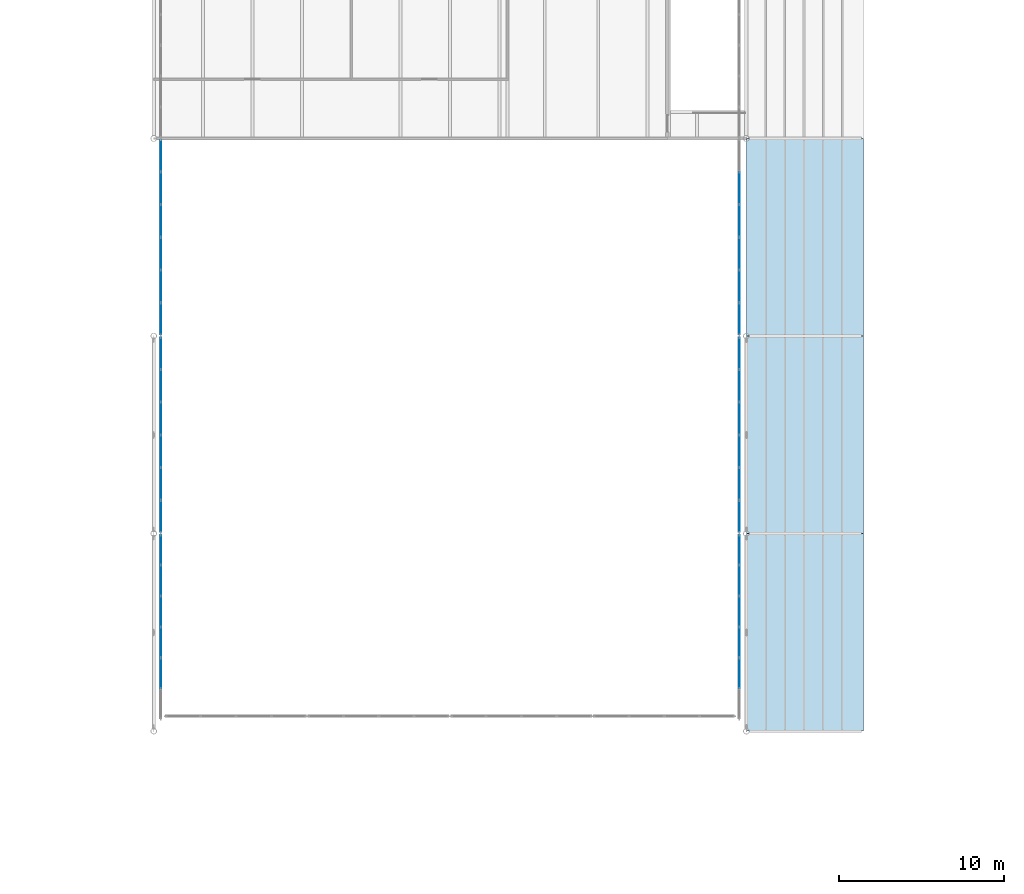
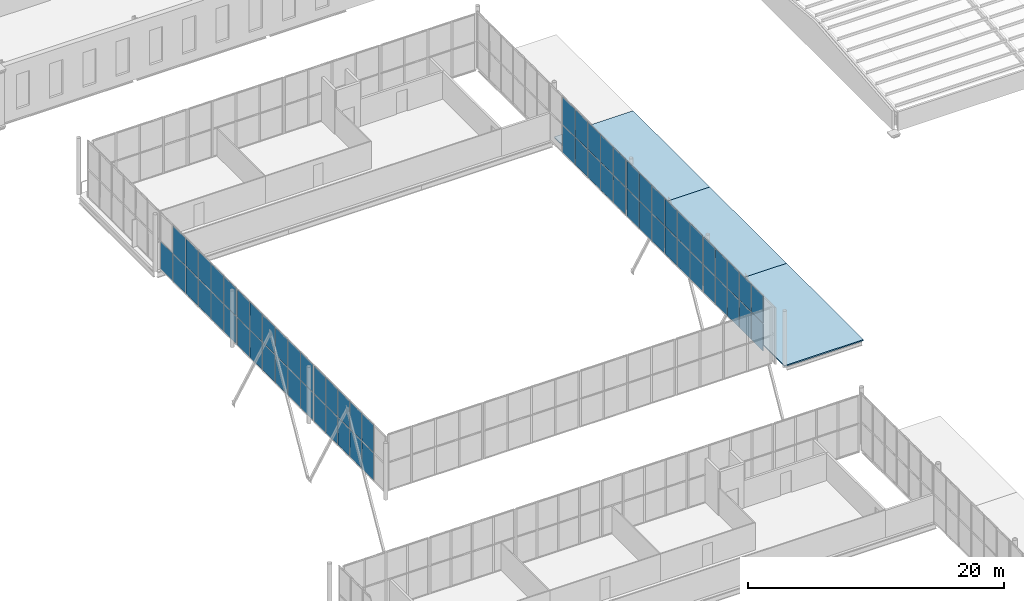
# One storey, part 99 of 170: 65 plates, 3 slabs, 6 elements without a shape of their own.
"""IFC4 building model written with IfcOpenShell, lengths in metres."""

import ifcopenshell
import ifcopenshell.guid

model = None  # the IFC model being written
_history = None  # IfcOwnerHistory: only IFC2X3 demands one
_inside = {}  # id of a spatial element -> (the spatial element, [elements in it])
_under = {}  # id of a project, library or spatial element -> (it, [spatial elements below it])
_declared = {}  # id of a project -> (the project, [libraries it declares])
_typed = {}  # id of a type object -> (the type object, [elements of that type])
_made_of = {}  # id of a material, layer set ... -> (it, [elements and type objects made of it])


def new_model(schema):
    """Start an empty IFC model of exactly this schema.

    Asked for "IFC4X3", IfcOpenShell would pick the latest addendum, in which some entities
    have other attributes; the version numbers below select the first issue.
    IFC2X3 requires an IfcOwnerHistory on every rooted entity: one is made here for all.
    """
    global model, _history
    if schema == "IFC4X3":
        model = ifcopenshell.file(schema_version=(4, 3, 0, 0))
    else:
        model = ifcopenshell.file(schema=schema)
    _inside.clear()
    _under.clear()
    _declared.clear()
    _typed.clear()
    _made_of.clear()
    _history = None
    if model.schema == "IFC2X3":
        org = make("IfcOrganization", Name="unknown")
        user = make(
            "IfcPersonAndOrganization",
            ThePerson=make("IfcPerson", FamilyName="unknown"),
            TheOrganization=org,
        )
        app = make(
            "IfcApplication",
            ApplicationDeveloper=org,
            Version="unknown",
            ApplicationFullName="unknown",
            ApplicationIdentifier="unknown",
        )
        _history = make(
            "IfcOwnerHistory",
            OwningUser=user,
            OwningApplication=app,
            ChangeAction="ADDED",
            CreationDate=0,
        )
    return model


def make(cls, **values):
    """One entity of the class cls with the attributes given. An attribute that is None is left unset."""
    return model.create_entity(
        cls, **{name: value for name, value in values.items() if value is not None}
    )


def rooted(cls, **values):
    """An entity with a GlobalId (a new one), such as an element, a storey or a relation."""
    return make(cls, GlobalId=ifcopenshell.guid.new(), OwnerHistory=_history, **values)


def si_unit(unit_type, name, prefix=None):
    """IfcSIUnit, for example si_unit("LENGTHUNIT", "METRE", prefix="MILLI")."""
    return make("IfcSIUnit", UnitType=unit_type, Prefix=prefix, Name=name)


def assignment(units):
    """IfcUnitAssignment: the units of a project."""
    return None if units is None else make("IfcUnitAssignment", Units=units)


def point(xyz):
    """IfcCartesianPoint."""
    return None if xyz is None else make("IfcCartesianPoint", Coordinates=xyz)


def direction(xyz):
    """IfcDirection."""
    return None if xyz is None else make("IfcDirection", DirectionRatios=xyz)


def frame(location, z_axis=None, x_axis=None):
    """IfcAxis2Placement3D, a coordinate frame: its origin and axes. An axis left out is left unset."""
    return make(
        "IfcAxis2Placement3D",
        Location=point(location),
        Axis=direction(z_axis),
        RefDirection=direction(x_axis),
    )


def frame_2d(location, x_axis=None):
    """IfcAxis2Placement2D, a coordinate frame in the plane: its origin and x axis."""
    return make(
        "IfcAxis2Placement2D", Location=point(location), RefDirection=direction(x_axis)
    )


def origin():
    """The frame at (0, 0, 0) with its axes left unset."""
    return frame((0.0, 0.0, 0.0))


def origin_2d():
    """The frame at (0, 0) in the plane with its x axis left unset."""
    return frame_2d((0.0, 0.0))


def place(relative_to, where):
    """IfcLocalPlacement: puts the frame where relative to a parent placement (None: the world)."""
    return make(
        "IfcLocalPlacement", PlacementRelTo=relative_to, RelativePlacement=where
    )


def context(
    kind, dimensions, precision=None, world=None, true_north=None, identifier=None
):
    """IfcGeometricRepresentationContext, for example the 3D "Model" context."""
    return make(
        "IfcGeometricRepresentationContext",
        ContextIdentifier=identifier,
        ContextType=kind,
        CoordinateSpaceDimension=dimensions,
        Precision=precision,
        WorldCoordinateSystem=world,
        TrueNorth=true_north,
    )


def subcontext(parent, identifier, kind, view, scale=None):
    """IfcGeometricRepresentationSubContext, for example "Body" below "Model"."""
    return make(
        "IfcGeometricRepresentationSubContext",
        ContextIdentifier=identifier,
        ContextType=kind,
        ParentContext=parent,
        TargetScale=scale,
        TargetView=view,
    )


def project(units=None, contexts=None):
    """IfcProject with its units and contexts."""
    return rooted(
        "IfcProject",
        Name="project",
        RepresentationContexts=contexts,
        UnitsInContext=assignment(units),
    )


def spatial(cls, under=None, at=None, **own):
    """A site, building, storey or space (cls), placed at a placement, below another one or the project."""
    s = rooted(cls, ObjectPlacement=at, **own)
    if under is not None:
        _under.setdefault(under.id(), (under, []))[1].append(s)
    return s


def polyline(points):
    """IfcPolyline through the points."""
    return make("IfcPolyline", Points=[point(p) for p in points])


def profile(cls, at=None, kind="AREA", **sizes):
    """A parametric profile (cls). Its sizes go by their IFC names, for example OverallWidth=200.0."""
    return make(cls, ProfileType=kind, Position=at, **sizes)


def rectangle(**sizes):
    """IfcRectangleProfileDef."""
    return profile("IfcRectangleProfileDef", **sizes)


def outline(outer, holes=None, kind="AREA"):
    """IfcArbitraryClosedProfileDef: a profile drawn as a closed curve; with holes, ...WithVoids."""
    if holes is None:
        return make("IfcArbitraryClosedProfileDef", ProfileType=kind, OuterCurve=outer)
    return make(
        "IfcArbitraryProfileDefWithVoids",
        ProfileType=kind,
        OuterCurve=outer,
        InnerCurves=holes,
    )


def extrude(swept, where, along, depth):
    """IfcExtrudedAreaSolid: the profile swept, set in the frame where, extruded along a direction by depth."""
    return make(
        "IfcExtrudedAreaSolid",
        SweptArea=swept,
        Position=where,
        ExtrudedDirection=direction(along),
        Depth=depth,
    )


def shape(context_of_items, identifier, shape_type, items):
    """IfcShapeRepresentation: the items that make up one representation, for example the "Body"."""
    return make(
        "IfcShapeRepresentation",
        ContextOfItems=context_of_items,
        RepresentationIdentifier=identifier,
        RepresentationType=shape_type,
        Items=items,
    )


def material(Name=None, Category=None):
    """IfcMaterial."""
    return make("IfcMaterial", Name=Name, Category=Category)


def layer(
    of_material, thickness, ventilated=None, Name=None, Category=None, Priority=None
):
    """IfcMaterialLayer: one layer of a wall or slab, of a material (None: an air gap)."""
    return make(
        "IfcMaterialLayer",
        Material=of_material,
        LayerThickness=thickness,
        IsVentilated=ventilated,
        Name=Name,
        Category=Category,
        Priority=Priority,
    )


def layer_set(layers, Name=None):
    """IfcMaterialLayerSet."""
    return make("IfcMaterialLayerSet", MaterialLayers=layers, LayerSetName=Name)


def made_of(thing, what):
    """Note that an element or type object is made of a material, layer set ...; save() writes the relation."""
    if what is not None:
        _made_of.setdefault(what.id(), (what, []))[1].append(thing)
    return thing


def type_object(cls, material=None, **own):
    """A type object (cls), such as IfcWallType, which elements share."""
    return made_of(rooted(cls, **own), material)


def element(
    cls,
    number,
    at=None,
    inside=None,
    cuts=None,
    type_object=None,
    material=None,
    context=None,
    identifier="Body",
    shape_type=None,
    held_by="IfcProductDefinitionShape",
    body=None,
    shapes=None,
    **own,
):
    """One element of the class cls, such as IfcWall. Its Tag is "e" and its number.

    at: its placement. inside: the storey or other place that contains it. cuts: it is an
    opening in that element (IfcRelVoidsElement). A single representation is given by context,
    identifier, shape_type and body (its items); several are given by shapes. held_by: the class
    of the entity that holds the representations. save() writes the other relations.
    """
    e = rooted(cls, Tag="e%d" % number, ObjectPlacement=at, **own)
    if body is not None:
        shapes = [shape(context, identifier, shape_type, body)]
    if shapes is not None:
        e.Representation = make(held_by, Representations=shapes)
    if inside is not None:
        _inside.setdefault(inside.id(), (inside, []))[1].append(e)
    if cuts is not None:
        rooted(
            "IfcRelVoidsElement", RelatingBuildingElement=cuts, RelatedOpeningElement=e
        )
    if type_object is not None:
        _typed.setdefault(type_object.id(), (type_object, []))[1].append(e)
    return made_of(e, material)


def aggregate(whole, parts):
    """IfcRelAggregates: a whole, such as a stair, and the parts it consists of."""
    return rooted("IfcRelAggregates", RelatingObject=whole, RelatedObjects=parts)


def save(model, path):
    """Write the relations noted so far, then the file.

    IfcRelAggregates (storeys below a building ...), IfcRelContainedInSpatialStructure (elements
    in a storey), IfcRelDefinesByType, IfcRelAssociatesMaterial and IfcRelDeclares: one each for
    every whole, place, type object, material and project.
    """
    for whole, parts in _under.values():
        aggregate(whole, parts)
    for where, things in _inside.values():
        rooted(
            "IfcRelContainedInSpatialStructure",
            RelatedElements=things,
            RelatingStructure=where,
        )
    for kind, things in _typed.values():
        rooted("IfcRelDefinesByType", RelatedObjects=things, RelatingType=kind)
    for what, things in _made_of.values():
        rooted("IfcRelAssociatesMaterial", RelatedObjects=things, RelatingMaterial=what)
    for by, libraries in _declared.values():
        rooted("IfcRelDeclares", RelatingContext=by, RelatedDefinitions=libraries)
    model.write(path)


model = new_model("IFC4")

# Units and contexts
model_context = context("Model", 3, precision=1e-05, world=origin(), true_north=direction((0.0, 1.0)))
body_context = subcontext(model_context, "Body", "Model", "MODEL_VIEW")
ifc_project = project(units=[si_unit("LENGTHUNIT", "METRE"), si_unit("AREAUNIT", "SQUARE_METRE"), si_unit("VOLUMEUNIT", "CUBIC_METRE"), si_unit("PLANEANGLEUNIT", "RADIAN"), si_unit("MASSUNIT", "GRAM", prefix="KILO")], contexts=[model_context])

# Site, building, storey
site_placement = place(None, origin())
site = spatial("IfcSite", under=ifc_project, at=site_placement, CompositionType="ELEMENT")
building_placement = place(site_placement, origin())
building = spatial("IfcBuilding", under=site, at=building_placement, Name="Ravi Spectrum Wholesale Market", CompositionType="ELEMENT")
storey_placement = place(building_placement, frame((0.0, 0.0, 5.39990234375)))
storey = spatial("IfcBuildingStorey", under=building, at=storey_placement, Name="L01", CompositionType="ELEMENT", Elevation=5.39990234375)

# Curtain wall, plates
ifc_material_1 = material(Name="Aluminium 6063-T6", Category="aluminium")
ifc_layer_1 = layer(ifc_material_1, 0.14990234375)
ifc_layer_set_1 = layer_set([ifc_layer_1], Name="Aluminium 6063-T6")
curtain_wall_type = type_object("IfcCurtainWallType", Name="Curtain wall 150", PredefinedType="NOTDEFINED", material=ifc_layer_set_1)
curtain_wall_1_placement = place(storey_placement, origin())
curtain_wall_1 = element("IfcCurtainWall", 1, at=curtain_wall_1_placement, inside=storey, type_object=curtain_wall_type, Name="H3-CW-L01-001", PredefinedType="NOTDEFINED")
ifc_material_2 = material(Name="Toughened glass", Category="glass")
ifc_layer_2 = layer(ifc_material_2, 0.028076171875)
ifc_layer_set_2 = layer_set([ifc_layer_2], Name="Toughened glass")
plate_type_1 = type_object("IfcPlateType", Name="Glazing panel 28", PredefinedType="CURTAIN_PANEL", material=ifc_layer_set_2)
plate_1_placement = place(storey_placement, frame((162.427734375, 141.5224609375, 2.72998046875), z_axis=(0.0, 0.0, 1.0), x_axis=(0.0, 1.0, 0.0)))
plate_1 = element("IfcPlate", 2, at=plate_1_placement, type_object=plate_type_1, Name="H3-CW-L01-001 panel 2.2", PredefinedType="CURTAIN_PANEL", context=body_context, shape_type="SweptSolid", body=[
    extrude(rectangle(XDim=1.81494140625, YDim=0.028076171875, at=origin_2d()), origin(), (0.0, 0.0, 1.0), 2.610107421875),
])
plate_2_placement = place(storey_placement, frame((162.427734375, 143.3974609375, 0.06005859375), z_axis=(0.0, 0.0, 1.0), x_axis=(0.0, 1.0, 0.0)))
plate_2 = element("IfcPlate", 3, at=plate_2_placement, type_object=plate_type_1, Name="H3-CW-L01-001 panel 3.1", PredefinedType="CURTAIN_PANEL", context=body_context, shape_type="SweptSolid", body=[
    extrude(rectangle(XDim=1.81494140625, YDim=0.028076171875, at=origin_2d()), origin(), (0.0, 0.0, 1.0), 2.610107421875),
])
plate_3_placement = place(storey_placement, frame((162.427734375, 147.1474609375, 2.72998046875), z_axis=(0.0, 0.0, 1.0), x_axis=(0.0, 1.0, 0.0)))
plate_3 = element("IfcPlate", 4, at=plate_3_placement, type_object=plate_type_1, Name="H3-CW-L01-001 panel 5.2", PredefinedType="CURTAIN_PANEL", context=body_context, shape_type="SweptSolid", body=[
    extrude(rectangle(XDim=1.81494140625, YDim=0.028076171875, at=origin_2d()), origin(), (0.0, 0.0, 1.0), 2.610107421875),
])
plate_4_placement = place(storey_placement, frame((162.427734375, 149.007568359375, 0.06005859375), z_axis=(0.0, 0.0, 1.0), x_axis=(0.0, 1.0, 0.0)))
plate_4 = element("IfcPlate", 5, at=plate_4_placement, type_object=plate_type_1, Name="H3-CW-L01-001 panel 6.1", PredefinedType="CURTAIN_PANEL", context=body_context, shape_type="SweptSolid", body=[
    extrude(rectangle(XDim=1.784912109375, YDim=0.028076171875, at=origin_2d()), origin(), (0.0, 0.0, 1.0), 2.610107421875),
])
plate_5_placement = place(storey_placement, frame((162.427734375, 149.007568359375, 2.72998046875), z_axis=(0.0, 0.0, 1.0), x_axis=(0.0, 1.0, 0.0)))
plate_5 = element("IfcPlate", 6, at=plate_5_placement, type_object=plate_type_1, Name="H3-CW-L01-001 panel 6.2", PredefinedType="CURTAIN_PANEL", context=body_context, shape_type="SweptSolid", body=[
    extrude(rectangle(XDim=1.784912109375, YDim=0.028076171875, at=origin_2d()), origin(), (0.0, 0.0, 1.0), 2.610107421875),
])

curtain_wall_2_placement = place(storey_placement, origin())
curtain_wall_2 = element("IfcCurtainWall", 7, at=curtain_wall_2_placement, inside=storey, type_object=curtain_wall_type, Name="H3-CW-L01-002", PredefinedType="NOTDEFINED")
plate_6_placement = place(storey_placement, frame((162.427734375, 151.04833984375, 0.06005859375), z_axis=(0.0, 0.0, 1.0), x_axis=(0.0, 1.0, 0.0)))
plate_6 = element("IfcPlate", 8, at=plate_6_placement, type_object=plate_type_1, Name="H3-CW-L01-002 panel 1.1", PredefinedType="CURTAIN_PANEL", context=body_context, shape_type="SweptSolid", body=[
    extrude(rectangle(XDim=1.896728515625, YDim=0.028076171875, at=origin_2d()), origin(), (0.0, 0.0, 1.0), 2.610107421875),
])
plate_7_placement = place(storey_placement, frame((162.427734375, 151.04833984375, 2.72998046875), z_axis=(0.0, 0.0, 1.0), x_axis=(0.0, 1.0, 0.0)))
plate_7 = element("IfcPlate", 9, at=plate_7_placement, type_object=plate_type_1, Name="H3-CW-L01-002 panel 1.2", PredefinedType="CURTAIN_PANEL", context=body_context, shape_type="SweptSolid", body=[
    extrude(rectangle(XDim=1.896728515625, YDim=0.028076171875, at=origin_2d()), origin(), (0.0, 0.0, 1.0), 2.610107421875),
])
plate_8_placement = place(storey_placement, frame((162.427734375, 153.02001953125, 2.72998046875), z_axis=(0.0, 0.0, 1.0), x_axis=(0.0, 1.0, 0.0)))
plate_8 = element("IfcPlate", 10, at=plate_8_placement, type_object=plate_type_1, Name="H3-CW-L01-002 panel 2.2", PredefinedType="CURTAIN_PANEL", context=body_context, shape_type="SweptSolid", body=[
    extrude(rectangle(XDim=1.9267578125, YDim=0.028076171875, at=origin_2d()), origin(), (0.0, 0.0, 1.0), 2.610107421875),
])
plate_9_placement = place(storey_placement, frame((162.427734375, 158.97998046875, 2.72998046875), z_axis=(0.0, 0.0, 1.0), x_axis=(0.0, 1.0, 0.0)))
plate_9 = element("IfcPlate", 11, at=plate_9_placement, type_object=plate_type_1, Name="H3-CW-L01-002 panel 5.2", PredefinedType="CURTAIN_PANEL", context=body_context, shape_type="SweptSolid", body=[
    extrude(rectangle(XDim=1.9267578125, YDim=0.028076171875, at=origin_2d()), origin(), (0.0, 0.0, 1.0), 2.610107421875),
])
plate_10_placement = place(storey_placement, frame((162.427734375, 160.95166015625, 0.06005859375), z_axis=(0.0, 0.0, 1.0), x_axis=(0.0, 1.0, 0.0)))
plate_10 = element("IfcPlate", 12, at=plate_10_placement, type_object=plate_type_1, Name="H3-CW-L01-002 panel 6.1", PredefinedType="CURTAIN_PANEL", context=body_context, shape_type="SweptSolid", body=[
    extrude(rectangle(XDim=1.896728515625, YDim=0.028076171875, at=origin_2d()), origin(), (0.0, 0.0, 1.0), 2.610107421875),
])
plate_11_placement = place(storey_placement, frame((162.427734375, 160.95166015625, 2.72998046875), z_axis=(0.0, 0.0, 1.0), x_axis=(0.0, 1.0, 0.0)))
plate_11 = element("IfcPlate", 13, at=plate_11_placement, type_object=plate_type_1, Name="H3-CW-L01-002 panel 6.2", PredefinedType="CURTAIN_PANEL", context=body_context, shape_type="SweptSolid", body=[
    extrude(rectangle(XDim=1.896728515625, YDim=0.028076171875, at=origin_2d()), origin(), (0.0, 0.0, 1.0), 2.610107421875),
])

curtain_wall_3_placement = place(storey_placement, origin())
curtain_wall_3 = element("IfcCurtainWall", 14, at=curtain_wall_3_placement, inside=storey, type_object=curtain_wall_type, Name="H3-CW-L01-003", PredefinedType="NOTDEFINED")
plate_12_placement = place(storey_placement, frame((162.427734375, 163.04833984375, 0.06005859375), z_axis=(0.0, 0.0, 1.0), x_axis=(0.0, 1.0, 0.0)))
plate_12 = element("IfcPlate", 15, at=plate_12_placement, type_object=plate_type_1, Name="H3-CW-L01-003 panel 1.1", PredefinedType="CURTAIN_PANEL", context=body_context, shape_type="SweptSolid", body=[
    extrude(rectangle(XDim=1.896728515625, YDim=0.028076171875, at=origin_2d()), origin(), (0.0, 0.0, 1.0), 2.610107421875),
])
plate_13_placement = place(storey_placement, frame((162.427734375, 163.04833984375, 2.72998046875), z_axis=(0.0, 0.0, 1.0), x_axis=(0.0, 1.0, 0.0)))
plate_13 = element("IfcPlate", 16, at=plate_13_placement, type_object=plate_type_1, Name="H3-CW-L01-003 panel 1.2", PredefinedType="CURTAIN_PANEL", context=body_context, shape_type="SweptSolid", body=[
    extrude(rectangle(XDim=1.896728515625, YDim=0.028076171875, at=origin_2d()), origin(), (0.0, 0.0, 1.0), 2.610107421875),
])
plate_14_placement = place(storey_placement, frame((162.427734375, 165.02001953125, 0.06005859375), z_axis=(0.0, 0.0, 1.0), x_axis=(0.0, 1.0, 0.0)))
plate_14 = element("IfcPlate", 17, at=plate_14_placement, type_object=plate_type_1, Name="H3-CW-L01-003 panel 2.1", PredefinedType="CURTAIN_PANEL", context=body_context, shape_type="SweptSolid", body=[
    extrude(rectangle(XDim=1.9267578125, YDim=0.028076171875, at=origin_2d()), origin(), (0.0, 0.0, 1.0), 2.610107421875),
])
plate_15_placement = place(storey_placement, frame((162.427734375, 165.02001953125, 2.72998046875), z_axis=(0.0, 0.0, 1.0), x_axis=(0.0, 1.0, 0.0)))
plate_15 = element("IfcPlate", 18, at=plate_15_placement, type_object=plate_type_1, Name="H3-CW-L01-003 panel 2.2", PredefinedType="CURTAIN_PANEL", context=body_context, shape_type="SweptSolid", body=[
    extrude(rectangle(XDim=1.9267578125, YDim=0.028076171875, at=origin_2d()), origin(), (0.0, 0.0, 1.0), 2.610107421875),
])
plate_16_placement = place(storey_placement, frame((162.427734375, 167.006591796875, 0.06005859375), z_axis=(0.0, 0.0, 1.0), x_axis=(0.0, 1.0, 0.0)))
plate_16 = element("IfcPlate", 19, at=plate_16_placement, type_object=plate_type_1, Name="H3-CW-L01-003 panel 3.1", PredefinedType="CURTAIN_PANEL", context=body_context, shape_type="SweptSolid", body=[
    extrude(rectangle(XDim=1.9267578125, YDim=0.028076171875, at=origin_2d()), origin(), (0.0, 0.0, 1.0), 2.610107421875),
])
plate_17_placement = place(storey_placement, frame((162.427734375, 167.006591796875, 2.72998046875), z_axis=(0.0, 0.0, 1.0), x_axis=(0.0, 1.0, 0.0)))
plate_17 = element("IfcPlate", 20, at=plate_17_placement, type_object=plate_type_1, Name="H3-CW-L01-003 panel 3.2", PredefinedType="CURTAIN_PANEL", context=body_context, shape_type="SweptSolid", body=[
    extrude(rectangle(XDim=1.9267578125, YDim=0.028076171875, at=origin_2d()), origin(), (0.0, 0.0, 1.0), 2.610107421875),
])
plate_18_placement = place(storey_placement, frame((162.427734375, 168.993408203125, 0.06005859375), z_axis=(0.0, 0.0, 1.0), x_axis=(0.0, 1.0, 0.0)))
plate_18 = element("IfcPlate", 21, at=plate_18_placement, type_object=plate_type_1, Name="H3-CW-L01-003 panel 4.1", PredefinedType="CURTAIN_PANEL", context=body_context, shape_type="SweptSolid", body=[
    extrude(rectangle(XDim=1.9267578125, YDim=0.028076171875, at=origin_2d()), origin(), (0.0, 0.0, 1.0), 2.610107421875),
])
plate_19_placement = place(storey_placement, frame((162.427734375, 168.993408203125, 2.72998046875), z_axis=(0.0, 0.0, 1.0), x_axis=(0.0, 1.0, 0.0)))
plate_19 = element("IfcPlate", 22, at=plate_19_placement, type_object=plate_type_1, Name="H3-CW-L01-003 panel 4.2", PredefinedType="CURTAIN_PANEL", context=body_context, shape_type="SweptSolid", body=[
    extrude(rectangle(XDim=1.9267578125, YDim=0.028076171875, at=origin_2d()), origin(), (0.0, 0.0, 1.0), 2.610107421875),
])
plate_20_placement = place(storey_placement, frame((162.427734375, 170.97998046875, 0.06005859375), z_axis=(0.0, 0.0, 1.0), x_axis=(0.0, 1.0, 0.0)))
plate_20 = element("IfcPlate", 23, at=plate_20_placement, type_object=plate_type_1, Name="H3-CW-L01-003 panel 5.1", PredefinedType="CURTAIN_PANEL", context=body_context, shape_type="SweptSolid", body=[
    extrude(rectangle(XDim=1.9267578125, YDim=0.028076171875, at=origin_2d()), origin(), (0.0, 0.0, 1.0), 2.610107421875),
])
plate_21_placement = place(storey_placement, frame((162.427734375, 170.97998046875, 2.72998046875), z_axis=(0.0, 0.0, 1.0), x_axis=(0.0, 1.0, 0.0)))
plate_21 = element("IfcPlate", 24, at=plate_21_placement, type_object=plate_type_1, Name="H3-CW-L01-003 panel 5.2", PredefinedType="CURTAIN_PANEL", context=body_context, shape_type="SweptSolid", body=[
    extrude(rectangle(XDim=1.9267578125, YDim=0.028076171875, at=origin_2d()), origin(), (0.0, 0.0, 1.0), 2.610107421875),
])
plate_22_placement = place(storey_placement, frame((162.427734375, 172.95166015625, 0.06005859375), z_axis=(0.0, 0.0, 1.0), x_axis=(0.0, 1.0, 0.0)))
plate_22 = element("IfcPlate", 25, at=plate_22_placement, type_object=plate_type_1, Name="H3-CW-L01-003 panel 6.1", PredefinedType="CURTAIN_PANEL", context=body_context, shape_type="SweptSolid", body=[
    extrude(rectangle(XDim=1.896728515625, YDim=0.028076171875, at=origin_2d()), origin(), (0.0, 0.0, 1.0), 2.610107421875),
])
aggregate(curtain_wall_3, [plate_12, plate_13, plate_14, plate_15, plate_16, plate_17, plate_18, plate_19, plate_20, plate_21, plate_22])

curtain_wall_4_placement = place(storey_placement, origin())
curtain_wall_4 = element("IfcCurtainWall", 26, at=curtain_wall_4_placement, inside=storey, type_object=curtain_wall_type, Name="H3-CW-L01-005", PredefinedType="NOTDEFINED")
plate_23_placement = place(storey_placement, frame((197.572265625, 141.5224609375, 2.72998046875), z_axis=(0.0, 0.0, 1.0), x_axis=(0.0, 1.0, 0.0)))
plate_23 = element("IfcPlate", 27, at=plate_23_placement, type_object=plate_type_1, Name="H3-CW-L01-005 panel 2.2", PredefinedType="CURTAIN_PANEL", context=body_context, shape_type="SweptSolid", body=[
    extrude(rectangle(XDim=1.81494140625, YDim=0.028076171875, at=origin_2d()), origin(), (0.0, 0.0, 1.0), 2.610107421875),
])
plate_24_placement = place(storey_placement, frame((197.572265625, 143.3974609375, 0.06005859375), z_axis=(0.0, 0.0, 1.0), x_axis=(0.0, 1.0, 0.0)))
plate_24 = element("IfcPlate", 28, at=plate_24_placement, type_object=plate_type_1, Name="H3-CW-L01-005 panel 3.1", PredefinedType="CURTAIN_PANEL", context=body_context, shape_type="SweptSolid", body=[
    extrude(rectangle(XDim=1.81494140625, YDim=0.028076171875, at=origin_2d()), origin(), (0.0, 0.0, 1.0), 2.610107421875),
])
plate_25_placement = place(storey_placement, frame((197.572265625, 147.1474609375, 2.72998046875), z_axis=(0.0, 0.0, 1.0), x_axis=(0.0, 1.0, 0.0)))
plate_25 = element("IfcPlate", 29, at=plate_25_placement, type_object=plate_type_1, Name="H3-CW-L01-005 panel 5.2", PredefinedType="CURTAIN_PANEL", context=body_context, shape_type="SweptSolid", body=[
    extrude(rectangle(XDim=1.81494140625, YDim=0.028076171875, at=origin_2d()), origin(), (0.0, 0.0, 1.0), 2.610107421875),
])
plate_26_placement = place(storey_placement, frame((197.572265625, 149.007568359375, 0.06005859375), z_axis=(0.0, 0.0, 1.0), x_axis=(0.0, 1.0, 0.0)))
plate_26 = element("IfcPlate", 30, at=plate_26_placement, type_object=plate_type_1, Name="H3-CW-L01-005 panel 6.1", PredefinedType="CURTAIN_PANEL", context=body_context, shape_type="SweptSolid", body=[
    extrude(rectangle(XDim=1.784912109375, YDim=0.028076171875, at=origin_2d()), origin(), (0.0, 0.0, 1.0), 2.610107421875),
])
plate_27_placement = place(storey_placement, frame((197.572265625, 149.007568359375, 2.72998046875), z_axis=(0.0, 0.0, 1.0), x_axis=(0.0, 1.0, 0.0)))
plate_27 = element("IfcPlate", 31, at=plate_27_placement, type_object=plate_type_1, Name="H3-CW-L01-005 panel 6.2", PredefinedType="CURTAIN_PANEL", context=body_context, shape_type="SweptSolid", body=[
    extrude(rectangle(XDim=1.784912109375, YDim=0.028076171875, at=origin_2d()), origin(), (0.0, 0.0, 1.0), 2.610107421875),
])

curtain_wall_5_placement = place(storey_placement, origin())
curtain_wall_5 = element("IfcCurtainWall", 32, at=curtain_wall_5_placement, inside=storey, type_object=curtain_wall_type, Name="H3-CW-L01-006", PredefinedType="NOTDEFINED")
plate_28_placement = place(storey_placement, frame((197.572265625, 151.04833984375, 0.06005859375), z_axis=(0.0, 0.0, 1.0), x_axis=(0.0, 1.0, 0.0)))
plate_28 = element("IfcPlate", 33, at=plate_28_placement, type_object=plate_type_1, Name="H3-CW-L01-006 panel 1.1", PredefinedType="CURTAIN_PANEL", context=body_context, shape_type="SweptSolid", body=[
    extrude(rectangle(XDim=1.896728515625, YDim=0.028076171875, at=origin_2d()), origin(), (0.0, 0.0, 1.0), 2.610107421875),
])
plate_29_placement = place(storey_placement, frame((197.572265625, 151.04833984375, 2.72998046875), z_axis=(0.0, 0.0, 1.0), x_axis=(0.0, 1.0, 0.0)))
plate_29 = element("IfcPlate", 34, at=plate_29_placement, type_object=plate_type_1, Name="H3-CW-L01-006 panel 1.2", PredefinedType="CURTAIN_PANEL", context=body_context, shape_type="SweptSolid", body=[
    extrude(rectangle(XDim=1.896728515625, YDim=0.028076171875, at=origin_2d()), origin(), (0.0, 0.0, 1.0), 2.610107421875),
])
plate_30_placement = place(storey_placement, frame((197.572265625, 153.02001953125, 2.72998046875), z_axis=(0.0, 0.0, 1.0), x_axis=(0.0, 1.0, 0.0)))
plate_30 = element("IfcPlate", 35, at=plate_30_placement, type_object=plate_type_1, Name="H3-CW-L01-006 panel 2.2", PredefinedType="CURTAIN_PANEL", context=body_context, shape_type="SweptSolid", body=[
    extrude(rectangle(XDim=1.9267578125, YDim=0.028076171875, at=origin_2d()), origin(), (0.0, 0.0, 1.0), 2.610107421875),
])
plate_31_placement = place(storey_placement, frame((197.572265625, 158.97998046875, 2.72998046875), z_axis=(0.0, 0.0, 1.0), x_axis=(0.0, 1.0, 0.0)))
plate_31 = element("IfcPlate", 36, at=plate_31_placement, type_object=plate_type_1, Name="H3-CW-L01-006 panel 5.2", PredefinedType="CURTAIN_PANEL", context=body_context, shape_type="SweptSolid", body=[
    extrude(rectangle(XDim=1.9267578125, YDim=0.028076171875, at=origin_2d()), origin(), (0.0, 0.0, 1.0), 2.610107421875),
])
plate_32_placement = place(storey_placement, frame((197.572265625, 160.95166015625, 0.06005859375), z_axis=(0.0, 0.0, 1.0), x_axis=(0.0, 1.0, 0.0)))
plate_32 = element("IfcPlate", 37, at=plate_32_placement, type_object=plate_type_1, Name="H3-CW-L01-006 panel 6.1", PredefinedType="CURTAIN_PANEL", context=body_context, shape_type="SweptSolid", body=[
    extrude(rectangle(XDim=1.896728515625, YDim=0.028076171875, at=origin_2d()), origin(), (0.0, 0.0, 1.0), 2.610107421875),
])
plate_33_placement = place(storey_placement, frame((197.572265625, 160.95166015625, 2.72998046875), z_axis=(0.0, 0.0, 1.0), x_axis=(0.0, 1.0, 0.0)))
plate_33 = element("IfcPlate", 38, at=plate_33_placement, type_object=plate_type_1, Name="H3-CW-L01-006 panel 6.2", PredefinedType="CURTAIN_PANEL", context=body_context, shape_type="SweptSolid", body=[
    extrude(rectangle(XDim=1.896728515625, YDim=0.028076171875, at=origin_2d()), origin(), (0.0, 0.0, 1.0), 2.610107421875),
])

curtain_wall_6_placement = place(storey_placement, origin())
curtain_wall_6 = element("IfcCurtainWall", 39, at=curtain_wall_6_placement, inside=storey, type_object=curtain_wall_type, Name="H3-CW-L01-007", PredefinedType="NOTDEFINED")
plate_34_placement = place(storey_placement, frame((197.572265625, 163.04833984375, 0.06005859375), z_axis=(0.0, 0.0, 1.0), x_axis=(0.0, 1.0, 0.0)))
plate_34 = element("IfcPlate", 40, at=plate_34_placement, type_object=plate_type_1, Name="H3-CW-L01-007 panel 1.1", PredefinedType="CURTAIN_PANEL", context=body_context, shape_type="SweptSolid", body=[
    extrude(rectangle(XDim=1.896728515625, YDim=0.028076171875, at=origin_2d()), origin(), (0.0, 0.0, 1.0), 2.610107421875),
])
plate_35_placement = place(storey_placement, frame((197.572265625, 163.04833984375, 2.72998046875), z_axis=(0.0, 0.0, 1.0), x_axis=(0.0, 1.0, 0.0)))
plate_35 = element("IfcPlate", 41, at=plate_35_placement, type_object=plate_type_1, Name="H3-CW-L01-007 panel 1.2", PredefinedType="CURTAIN_PANEL", context=body_context, shape_type="SweptSolid", body=[
    extrude(rectangle(XDim=1.896728515625, YDim=0.028076171875, at=origin_2d()), origin(), (0.0, 0.0, 1.0), 2.610107421875),
])
plate_36_placement = place(storey_placement, frame((197.572265625, 165.02001953125, 0.06005859375), z_axis=(0.0, 0.0, 1.0), x_axis=(0.0, 1.0, 0.0)))
plate_36 = element("IfcPlate", 42, at=plate_36_placement, type_object=plate_type_1, Name="H3-CW-L01-007 panel 2.1", PredefinedType="CURTAIN_PANEL", context=body_context, shape_type="SweptSolid", body=[
    extrude(rectangle(XDim=1.9267578125, YDim=0.028076171875, at=origin_2d()), origin(), (0.0, 0.0, 1.0), 2.610107421875),
])
plate_37_placement = place(storey_placement, frame((197.572265625, 165.02001953125, 2.72998046875), z_axis=(0.0, 0.0, 1.0), x_axis=(0.0, 1.0, 0.0)))
plate_37 = element("IfcPlate", 43, at=plate_37_placement, type_object=plate_type_1, Name="H3-CW-L01-007 panel 2.2", PredefinedType="CURTAIN_PANEL", context=body_context, shape_type="SweptSolid", body=[
    extrude(rectangle(XDim=1.9267578125, YDim=0.028076171875, at=origin_2d()), origin(), (0.0, 0.0, 1.0), 2.610107421875),
])
plate_38_placement = place(storey_placement, frame((197.572265625, 167.006591796875, 0.06005859375), z_axis=(0.0, 0.0, 1.0), x_axis=(0.0, 1.0, 0.0)))
plate_38 = element("IfcPlate", 44, at=plate_38_placement, type_object=plate_type_1, Name="H3-CW-L01-007 panel 3.1", PredefinedType="CURTAIN_PANEL", context=body_context, shape_type="SweptSolid", body=[
    extrude(rectangle(XDim=1.9267578125, YDim=0.028076171875, at=origin_2d()), origin(), (0.0, 0.0, 1.0), 2.610107421875),
])
plate_39_placement = place(storey_placement, frame((197.572265625, 167.006591796875, 2.72998046875), z_axis=(0.0, 0.0, 1.0), x_axis=(0.0, 1.0, 0.0)))
plate_39 = element("IfcPlate", 45, at=plate_39_placement, type_object=plate_type_1, Name="H3-CW-L01-007 panel 3.2", PredefinedType="CURTAIN_PANEL", context=body_context, shape_type="SweptSolid", body=[
    extrude(rectangle(XDim=1.9267578125, YDim=0.028076171875, at=origin_2d()), origin(), (0.0, 0.0, 1.0), 2.610107421875),
])
plate_40_placement = place(storey_placement, frame((197.572265625, 168.993408203125, 0.06005859375), z_axis=(0.0, 0.0, 1.0), x_axis=(0.0, 1.0, 0.0)))
plate_40 = element("IfcPlate", 46, at=plate_40_placement, type_object=plate_type_1, Name="H3-CW-L01-007 panel 4.1", PredefinedType="CURTAIN_PANEL", context=body_context, shape_type="SweptSolid", body=[
    extrude(rectangle(XDim=1.9267578125, YDim=0.028076171875, at=origin_2d()), origin(), (0.0, 0.0, 1.0), 2.610107421875),
])
plate_41_placement = place(storey_placement, frame((197.572265625, 168.993408203125, 2.72998046875), z_axis=(0.0, 0.0, 1.0), x_axis=(0.0, 1.0, 0.0)))
plate_41 = element("IfcPlate", 47, at=plate_41_placement, type_object=plate_type_1, Name="H3-CW-L01-007 panel 4.2", PredefinedType="CURTAIN_PANEL", context=body_context, shape_type="SweptSolid", body=[
    extrude(rectangle(XDim=1.9267578125, YDim=0.028076171875, at=origin_2d()), origin(), (0.0, 0.0, 1.0), 2.610107421875),
])
plate_42_placement = place(storey_placement, frame((197.572265625, 170.97998046875, 0.06005859375), z_axis=(0.0, 0.0, 1.0), x_axis=(0.0, 1.0, 0.0)))
plate_42 = element("IfcPlate", 48, at=plate_42_placement, type_object=plate_type_1, Name="H3-CW-L01-007 panel 5.1", PredefinedType="CURTAIN_PANEL", context=body_context, shape_type="SweptSolid", body=[
    extrude(rectangle(XDim=1.9267578125, YDim=0.028076171875, at=origin_2d()), origin(), (0.0, 0.0, 1.0), 2.610107421875),
])
plate_43_placement = place(storey_placement, frame((197.572265625, 170.97998046875, 2.72998046875), z_axis=(0.0, 0.0, 1.0), x_axis=(0.0, 1.0, 0.0)))
plate_43 = element("IfcPlate", 49, at=plate_43_placement, type_object=plate_type_1, Name="H3-CW-L01-007 panel 5.2", PredefinedType="CURTAIN_PANEL", context=body_context, shape_type="SweptSolid", body=[
    extrude(rectangle(XDim=1.9267578125, YDim=0.028076171875, at=origin_2d()), origin(), (0.0, 0.0, 1.0), 2.610107421875),
])
aggregate(curtain_wall_6, [plate_34, plate_35, plate_36, plate_37, plate_38, plate_39, plate_40, plate_41, plate_42, plate_43])

# Plate
ifc_material_3 = material(Name="Insulated panel")
ifc_layer_3 = layer(ifc_material_3, 0.028076171875)
ifc_layer_set_3 = layer_set([ifc_layer_3], Name="Insulated panel")
plate_type_2 = type_object("IfcPlateType", Name="Opaque insulated panel 28", PredefinedType="CURTAIN_PANEL", material=ifc_layer_set_3)
plate_44_placement = place(storey_placement, frame((162.427734375, 141.5224609375, 0.06005859375), z_axis=(0.0, 0.0, 1.0), x_axis=(0.0, 1.0, 0.0)))
plate_44 = element("IfcPlate", 50, at=plate_44_placement, type_object=plate_type_2, Name="H3-CW-L01-001 panel 2.1", PredefinedType="CURTAIN_PANEL", context=body_context, shape_type="SweptSolid", body=[
    extrude(rectangle(XDim=1.81494140625, YDim=0.028076171875, at=origin_2d()), origin(), (0.0, 0.0, 1.0), 2.610107421875),
])

plate_45_placement = place(storey_placement, frame((162.427734375, 143.3974609375, 2.72998046875), z_axis=(0.0, 0.0, 1.0), x_axis=(0.0, 1.0, 0.0)))
plate_45 = element("IfcPlate", 51, at=plate_45_placement, type_object=plate_type_2, Name="H3-CW-L01-001 panel 3.2", PredefinedType="CURTAIN_PANEL", context=body_context, shape_type="SweptSolid", body=[
    extrude(rectangle(XDim=1.81494140625, YDim=0.028076171875, at=origin_2d()), origin(), (0.0, 0.0, 1.0), 2.610107421875),
])

plate_46_placement = place(storey_placement, frame((162.427734375, 145.2724609375, 0.06005859375), z_axis=(0.0, 0.0, 1.0), x_axis=(0.0, 1.0, 0.0)))
plate_46 = element("IfcPlate", 52, at=plate_46_placement, type_object=plate_type_2, Name="H3-CW-L01-001 panel 4.1", PredefinedType="CURTAIN_PANEL", context=body_context, shape_type="SweptSolid", body=[
    extrude(rectangle(XDim=1.81494140625, YDim=0.028076171875, at=origin_2d()), origin(), (0.0, 0.0, 1.0), 2.610107421875),
])

plate_47_placement = place(storey_placement, frame((162.427734375, 145.2724609375, 2.72998046875), z_axis=(0.0, 0.0, 1.0), x_axis=(0.0, 1.0, 0.0)))
plate_47 = element("IfcPlate", 53, at=plate_47_placement, type_object=plate_type_2, Name="H3-CW-L01-001 panel 4.2", PredefinedType="CURTAIN_PANEL", context=body_context, shape_type="SweptSolid", body=[
    extrude(rectangle(XDim=1.81494140625, YDim=0.028076171875, at=origin_2d()), origin(), (0.0, 0.0, 1.0), 2.610107421875),
])

plate_48_placement = place(storey_placement, frame((162.427734375, 147.1474609375, 0.06005859375), z_axis=(0.0, 0.0, 1.0), x_axis=(0.0, 1.0, 0.0)))
plate_48 = element("IfcPlate", 54, at=plate_48_placement, type_object=plate_type_2, Name="H3-CW-L01-001 panel 5.1", PredefinedType="CURTAIN_PANEL", context=body_context, shape_type="SweptSolid", body=[
    extrude(rectangle(XDim=1.81494140625, YDim=0.028076171875, at=origin_2d()), origin(), (0.0, 0.0, 1.0), 2.610107421875),
])

aggregate(curtain_wall_1, [plate_44, plate_1, plate_2, plate_45, plate_46, plate_47, plate_48, plate_3, plate_4, plate_5])

plate_49_placement = place(storey_placement, frame((162.427734375, 153.02001953125, 0.06005859375), z_axis=(0.0, 0.0, 1.0), x_axis=(0.0, 1.0, 0.0)))
plate_49 = element("IfcPlate", 55, at=plate_49_placement, type_object=plate_type_2, Name="H3-CW-L01-002 panel 2.1", PredefinedType="CURTAIN_PANEL", context=body_context, shape_type="SweptSolid", body=[
    extrude(rectangle(XDim=1.9267578125, YDim=0.028076171875, at=origin_2d()), origin(), (0.0, 0.0, 1.0), 2.610107421875),
])

plate_50_placement = place(storey_placement, frame((162.427734375, 155.006591796875, 0.06005859375), z_axis=(0.0, 0.0, 1.0), x_axis=(0.0, 1.0, 0.0)))
plate_50 = element("IfcPlate", 56, at=plate_50_placement, type_object=plate_type_2, Name="H3-CW-L01-002 panel 3.1", PredefinedType="CURTAIN_PANEL", context=body_context, shape_type="SweptSolid", body=[
    extrude(rectangle(XDim=1.9267578125, YDim=0.028076171875, at=origin_2d()), origin(), (0.0, 0.0, 1.0), 2.610107421875),
])

plate_51_placement = place(storey_placement, frame((162.427734375, 155.006591796875, 2.72998046875), z_axis=(0.0, 0.0, 1.0), x_axis=(0.0, 1.0, 0.0)))
plate_51 = element("IfcPlate", 57, at=plate_51_placement, type_object=plate_type_2, Name="H3-CW-L01-002 panel 3.2", PredefinedType="CURTAIN_PANEL", context=body_context, shape_type="SweptSolid", body=[
    extrude(rectangle(XDim=1.9267578125, YDim=0.028076171875, at=origin_2d()), origin(), (0.0, 0.0, 1.0), 2.610107421875),
])

plate_52_placement = place(storey_placement, frame((162.427734375, 156.993408203125, 0.06005859375), z_axis=(0.0, 0.0, 1.0), x_axis=(0.0, 1.0, 0.0)))
plate_52 = element("IfcPlate", 58, at=plate_52_placement, type_object=plate_type_2, Name="H3-CW-L01-002 panel 4.1", PredefinedType="CURTAIN_PANEL", context=body_context, shape_type="SweptSolid", body=[
    extrude(rectangle(XDim=1.9267578125, YDim=0.028076171875, at=origin_2d()), origin(), (0.0, 0.0, 1.0), 2.610107421875),
])

plate_53_placement = place(storey_placement, frame((162.427734375, 156.993408203125, 2.72998046875), z_axis=(0.0, 0.0, 1.0), x_axis=(0.0, 1.0, 0.0)))
plate_53 = element("IfcPlate", 59, at=plate_53_placement, type_object=plate_type_2, Name="H3-CW-L01-002 panel 4.2", PredefinedType="CURTAIN_PANEL", context=body_context, shape_type="SweptSolid", body=[
    extrude(rectangle(XDim=1.9267578125, YDim=0.028076171875, at=origin_2d()), origin(), (0.0, 0.0, 1.0), 2.610107421875),
])

plate_54_placement = place(storey_placement, frame((162.427734375, 158.97998046875, 0.06005859375), z_axis=(0.0, 0.0, 1.0), x_axis=(0.0, 1.0, 0.0)))
plate_54 = element("IfcPlate", 60, at=plate_54_placement, type_object=plate_type_2, Name="H3-CW-L01-002 panel 5.1", PredefinedType="CURTAIN_PANEL", context=body_context, shape_type="SweptSolid", body=[
    extrude(rectangle(XDim=1.9267578125, YDim=0.028076171875, at=origin_2d()), origin(), (0.0, 0.0, 1.0), 2.610107421875),
])

aggregate(curtain_wall_2, [plate_6, plate_7, plate_49, plate_8, plate_50, plate_51, plate_52, plate_53, plate_54, plate_9, plate_10, plate_11])

plate_55_placement = place(storey_placement, frame((197.572265625, 141.5224609375, 0.06005859375), z_axis=(0.0, 0.0, 1.0), x_axis=(0.0, 1.0, 0.0)))
plate_55 = element("IfcPlate", 61, at=plate_55_placement, type_object=plate_type_2, Name="H3-CW-L01-005 panel 2.1", PredefinedType="CURTAIN_PANEL", context=body_context, shape_type="SweptSolid", body=[
    extrude(rectangle(XDim=1.81494140625, YDim=0.028076171875, at=origin_2d()), origin(), (0.0, 0.0, 1.0), 2.610107421875),
])

plate_56_placement = place(storey_placement, frame((197.572265625, 143.3974609375, 2.72998046875), z_axis=(0.0, 0.0, 1.0), x_axis=(0.0, 1.0, 0.0)))
plate_56 = element("IfcPlate", 62, at=plate_56_placement, type_object=plate_type_2, Name="H3-CW-L01-005 panel 3.2", PredefinedType="CURTAIN_PANEL", context=body_context, shape_type="SweptSolid", body=[
    extrude(rectangle(XDim=1.81494140625, YDim=0.028076171875, at=origin_2d()), origin(), (0.0, 0.0, 1.0), 2.610107421875),
])

plate_57_placement = place(storey_placement, frame((197.572265625, 145.2724609375, 0.06005859375), z_axis=(0.0, 0.0, 1.0), x_axis=(0.0, 1.0, 0.0)))
plate_57 = element("IfcPlate", 63, at=plate_57_placement, type_object=plate_type_2, Name="H3-CW-L01-005 panel 4.1", PredefinedType="CURTAIN_PANEL", context=body_context, shape_type="SweptSolid", body=[
    extrude(rectangle(XDim=1.81494140625, YDim=0.028076171875, at=origin_2d()), origin(), (0.0, 0.0, 1.0), 2.610107421875),
])

plate_58_placement = place(storey_placement, frame((197.572265625, 145.2724609375, 2.72998046875), z_axis=(0.0, 0.0, 1.0), x_axis=(0.0, 1.0, 0.0)))
plate_58 = element("IfcPlate", 64, at=plate_58_placement, type_object=plate_type_2, Name="H3-CW-L01-005 panel 4.2", PredefinedType="CURTAIN_PANEL", context=body_context, shape_type="SweptSolid", body=[
    extrude(rectangle(XDim=1.81494140625, YDim=0.028076171875, at=origin_2d()), origin(), (0.0, 0.0, 1.0), 2.610107421875),
])

plate_59_placement = place(storey_placement, frame((197.572265625, 147.1474609375, 0.06005859375), z_axis=(0.0, 0.0, 1.0), x_axis=(0.0, 1.0, 0.0)))
plate_59 = element("IfcPlate", 65, at=plate_59_placement, type_object=plate_type_2, Name="H3-CW-L01-005 panel 5.1", PredefinedType="CURTAIN_PANEL", context=body_context, shape_type="SweptSolid", body=[
    extrude(rectangle(XDim=1.81494140625, YDim=0.028076171875, at=origin_2d()), origin(), (0.0, 0.0, 1.0), 2.610107421875),
])

aggregate(curtain_wall_4, [plate_55, plate_23, plate_24, plate_56, plate_57, plate_58, plate_59, plate_25, plate_26, plate_27])

plate_60_placement = place(storey_placement, frame((197.572265625, 153.02001953125, 0.06005859375), z_axis=(0.0, 0.0, 1.0), x_axis=(0.0, 1.0, 0.0)))
plate_60 = element("IfcPlate", 66, at=plate_60_placement, type_object=plate_type_2, Name="H3-CW-L01-006 panel 2.1", PredefinedType="CURTAIN_PANEL", context=body_context, shape_type="SweptSolid", body=[
    extrude(rectangle(XDim=1.9267578125, YDim=0.028076171875, at=origin_2d()), origin(), (0.0, 0.0, 1.0), 2.610107421875),
])

plate_61_placement = place(storey_placement, frame((197.572265625, 155.006591796875, 0.06005859375), z_axis=(0.0, 0.0, 1.0), x_axis=(0.0, 1.0, 0.0)))
plate_61 = element("IfcPlate", 67, at=plate_61_placement, type_object=plate_type_2, Name="H3-CW-L01-006 panel 3.1", PredefinedType="CURTAIN_PANEL", context=body_context, shape_type="SweptSolid", body=[
    extrude(rectangle(XDim=1.9267578125, YDim=0.028076171875, at=origin_2d()), origin(), (0.0, 0.0, 1.0), 2.610107421875),
])

plate_62_placement = place(storey_placement, frame((197.572265625, 155.006591796875, 2.72998046875), z_axis=(0.0, 0.0, 1.0), x_axis=(0.0, 1.0, 0.0)))
plate_62 = element("IfcPlate", 68, at=plate_62_placement, type_object=plate_type_2, Name="H3-CW-L01-006 panel 3.2", PredefinedType="CURTAIN_PANEL", context=body_context, shape_type="SweptSolid", body=[
    extrude(rectangle(XDim=1.9267578125, YDim=0.028076171875, at=origin_2d()), origin(), (0.0, 0.0, 1.0), 2.610107421875),
])

plate_63_placement = place(storey_placement, frame((197.572265625, 156.993408203125, 0.06005859375), z_axis=(0.0, 0.0, 1.0), x_axis=(0.0, 1.0, 0.0)))
plate_63 = element("IfcPlate", 69, at=plate_63_placement, type_object=plate_type_2, Name="H3-CW-L01-006 panel 4.1", PredefinedType="CURTAIN_PANEL", context=body_context, shape_type="SweptSolid", body=[
    extrude(rectangle(XDim=1.9267578125, YDim=0.028076171875, at=origin_2d()), origin(), (0.0, 0.0, 1.0), 2.610107421875),
])

plate_64_placement = place(storey_placement, frame((197.572265625, 156.993408203125, 2.72998046875), z_axis=(0.0, 0.0, 1.0), x_axis=(0.0, 1.0, 0.0)))
plate_64 = element("IfcPlate", 70, at=plate_64_placement, type_object=plate_type_2, Name="H3-CW-L01-006 panel 4.2", PredefinedType="CURTAIN_PANEL", context=body_context, shape_type="SweptSolid", body=[
    extrude(rectangle(XDim=1.9267578125, YDim=0.028076171875, at=origin_2d()), origin(), (0.0, 0.0, 1.0), 2.610107421875),
])

plate_65_placement = place(storey_placement, frame((197.572265625, 158.97998046875, 0.06005859375), z_axis=(0.0, 0.0, 1.0), x_axis=(0.0, 1.0, 0.0)))
plate_65 = element("IfcPlate", 71, at=plate_65_placement, type_object=plate_type_2, Name="H3-CW-L01-006 panel 5.1", PredefinedType="CURTAIN_PANEL", context=body_context, shape_type="SweptSolid", body=[
    extrude(rectangle(XDim=1.9267578125, YDim=0.028076171875, at=origin_2d()), origin(), (0.0, 0.0, 1.0), 2.610107421875),
])

aggregate(curtain_wall_5, [plate_28, plate_29, plate_60, plate_30, plate_61, plate_62, plate_63, plate_64, plate_65, plate_31, plate_32, plate_33])

# Slabs
ifc_material_4 = material(Name="Steel S355", Category="steel")
ifc_layer_4 = layer(ifc_material_4, 0.1201171875)
ifc_layer_set_4 = layer_set([ifc_layer_4], Name="Steel S355")
slab_type = type_object("IfcSlabType", Name="Roof deck 120", PredefinedType="ROOF", material=ifc_layer_set_4)
slab_1_placement = place(storey_placement, origin())
element("IfcSlab", 72, at=slab_1_placement, inside=storey, type_object=slab_type, Name="H3-SL-L01-002", PredefinedType="ROOF", context=body_context, shape_type="SweptSolid", body=[
    extrude(outline(polyline([(198.0, 138.0), (205.109619140625, 138.0), (205.109619140625, 150.0), (198.0, 150.0), (198.0, 138.0)])), origin(), (0.0, 0.0, 1.0), 0.1201171875),
])
slab_2_placement = place(storey_placement, origin())
element("IfcSlab", 73, at=slab_2_placement, inside=storey, type_object=slab_type, Name="H3-SL-L01-003", PredefinedType="ROOF", context=body_context, shape_type="SweptSolid", body=[
    extrude(outline(polyline([(198.0, 150.0), (205.109619140625, 150.0), (205.109619140625, 162.0), (198.0, 162.0), (198.0, 150.0)])), origin(), (0.0, 0.0, 1.0), 0.1201171875),
])
slab_3_placement = place(storey_placement, origin())
element("IfcSlab", 74, at=slab_3_placement, inside=storey, type_object=slab_type, Name="H3-SL-L01-004", PredefinedType="ROOF", context=body_context, shape_type="SweptSolid", body=[
    extrude(outline(polyline([(198.0, 162.0), (205.109619140625, 162.0), (205.109619140625, 174.0), (198.0, 174.0), (198.0, 162.0)])), origin(), (0.0, 0.0, 1.0), 0.1201171875),
])

save(model, "model.ifc")
